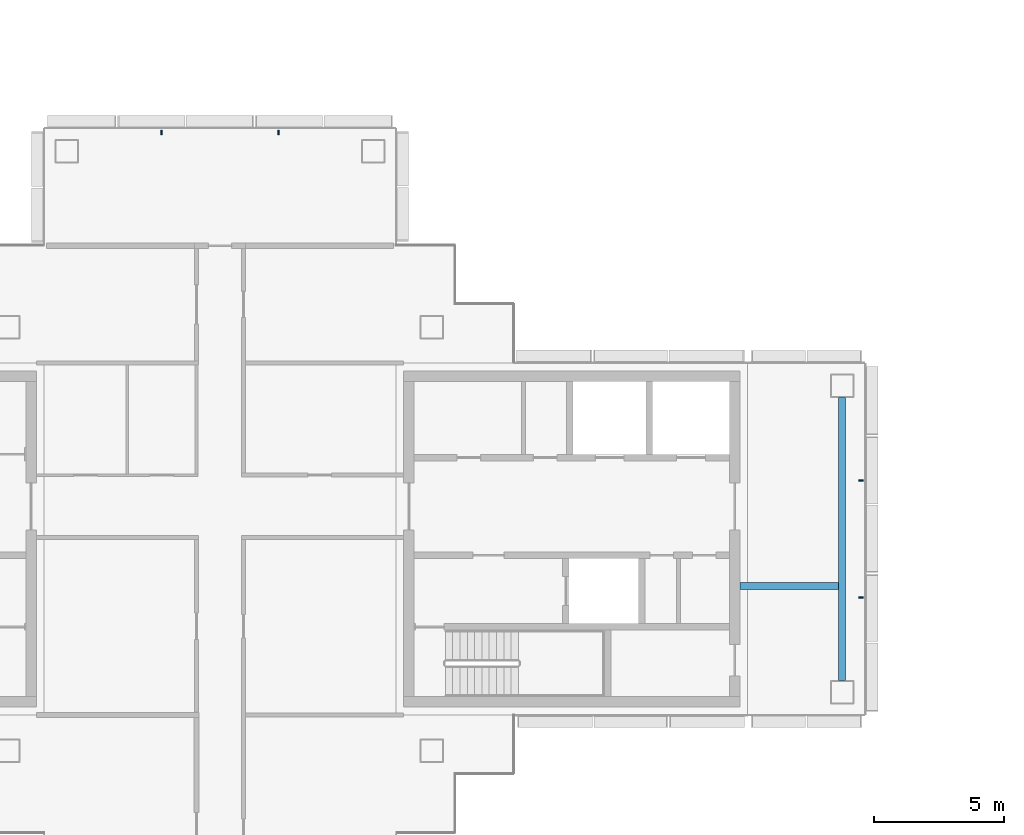
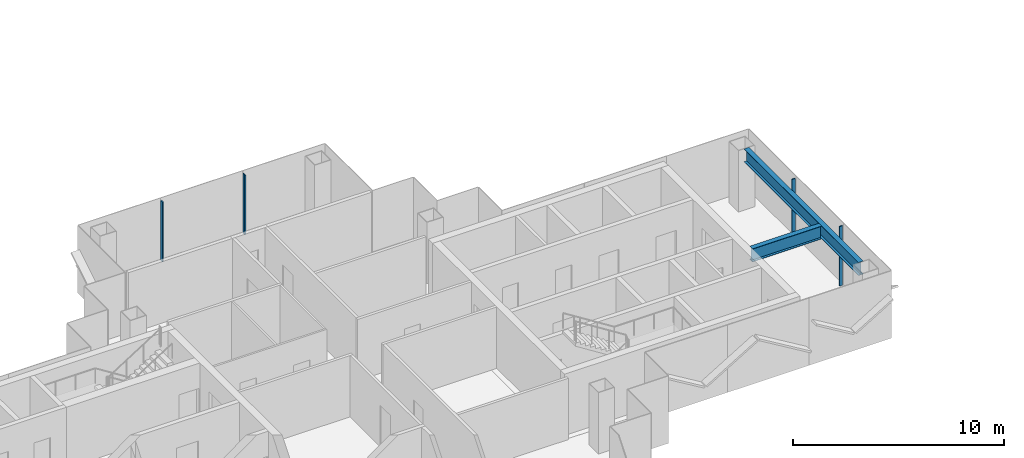
# One storey, part 4 of 17: 4 members, 2 beams, 2 elements without a shape of their own.
"""IFC4 building model written with IfcOpenShell, lengths in metres."""

from ifc_helpers import new_model, si_unit, direction, frame, origin, origin_2d, place, context, subcontext, project, spatial, rectangle, i_section, extrude, material, layer, layer_set, material_profile, profile_set, type_object, element, aggregate, save


model = new_model("IFC4")

# Units and contexts
model_context = context("Model", 3, precision=1e-05, world=origin(), true_north=direction((0.0, 1.0)))
body_context = subcontext(model_context, "Body", "Model", "MODEL_VIEW")
ifc_project = project(units=[si_unit("LENGTHUNIT", "METRE"), si_unit("AREAUNIT", "SQUARE_METRE"), si_unit("VOLUMEUNIT", "CUBIC_METRE"), si_unit("PLANEANGLEUNIT", "RADIAN"), si_unit("MASSUNIT", "GRAM", prefix="KILO")], contexts=[model_context])

# Site, building, storey
site_placement = place(None, origin())
site = spatial("IfcSite", under=ifc_project, at=site_placement, CompositionType="ELEMENT")
building_placement = place(site_placement, origin())
building = spatial("IfcBuilding", under=site, at=building_placement, Name="Shamsa Quay Exchange Towers", CompositionType="ELEMENT")
storey_placement = place(building_placement, frame((0.0, 0.0, 230.39990234375)))
storey = spatial("IfcBuildingStorey", under=building, at=storey_placement, Name="L55", CompositionType="ELEMENT", Elevation=230.39990234375)

# Curtain wall, members
ifc_material_1 = material(Name="Aluminium EN AW-6063 T6, black anodised", Category="aluminium")
ifc_layer = layer(ifc_material_1, 0.280029296875)
ifc_layer_set = layer_set([ifc_layer], Name="CW-1 UNITISED VISION GLASS")
curtain_wall_type = type_object("IfcCurtainWallType", Name="CW-1 UNITISED VISION GLASS", PredefinedType="NOTDEFINED", material=ifc_layer_set)
curtain_wall_1_placement = place(storey_placement, origin())
curtain_wall_1 = element("IfcCurtainWall", 1, at=curtain_wall_1_placement, inside=storey, type_object=curtain_wall_type, Name="CW1 T1-END-U+ L55", PredefinedType="NOTDEFINED")
ifc_material_profile_1 = material_profile(ifc_material_1, rectangle(XDim=0.179931640625, YDim=0.06005859375, at=origin_2d()), Name="MU60x180")
ifc_profile_set_1 = profile_set([ifc_material_profile_1], Name="Aluminium EN AW-6063 T6, black anodised")
member_type = type_object("IfcMemberType", Name="CW1 MULLION 60x180", PredefinedType="MULLION", material=ifc_profile_set_1)
member_1_placement = place(storey_placement, frame((-9.14990234375, -2.25, 0.0), z_axis=(0.0, 0.0, 1.0), x_axis=(-1.0, 0.0, 0.0)))
member_1 = element("IfcMember", 2, at=member_1_placement, type_object=member_type, Name="CW1 mullion", PredefinedType="MULLION", context=body_context, shape_type="SweptSolid", body=[
    extrude(rectangle(XDim=0.179931640625, YDim=0.06005859375, at=origin_2d()), origin(), (0.0, 0.0, 1.0), 3.4501953125),
])
member_2_placement = place(storey_placement, frame((-9.14990234375, 2.25, 0.0), z_axis=(0.0, 0.0, 1.0), x_axis=(-1.0, 0.0, 0.0)))
member_2 = element("IfcMember", 3, at=member_2_placement, type_object=member_type, Name="CW1 mullion", PredefinedType="MULLION", context=body_context, shape_type="SweptSolid", body=[
    extrude(rectangle(XDim=0.179931640625, YDim=0.06005859375, at=origin_2d()), origin(), (0.0, 0.0, 1.0), 3.4501953125),
])
aggregate(curtain_wall_1, [member_1, member_2])

curtain_wall_2_placement = place(storey_placement, origin())
curtain_wall_2 = element("IfcCurtainWall", 4, at=curtain_wall_2_placement, inside=storey, type_object=curtain_wall_type, Name="CW1 T1-END-V+ L55", PredefinedType="NOTDEFINED")
member_3_placement = place(storey_placement, frame((-31.5, 15.60009765625, 0.0), z_axis=(0.0, 0.0, 1.0), x_axis=(0.0, -1.0, 0.0)))
member_3 = element("IfcMember", 5, at=member_3_placement, type_object=member_type, Name="CW1 mullion", PredefinedType="MULLION", context=body_context, shape_type="SweptSolid", body=[
    extrude(rectangle(XDim=0.179931640625, YDim=0.06005859375, at=origin_2d()), origin(), (0.0, 0.0, 1.0), 3.4501953125),
])
member_4_placement = place(storey_placement, frame((-36.0, 15.60009765625, 0.0), z_axis=(0.0, 0.0, 1.0), x_axis=(0.0, -1.0, 0.0)))
member_4 = element("IfcMember", 6, at=member_4_placement, type_object=member_type, Name="CW1 mullion", PredefinedType="MULLION", context=body_context, shape_type="SweptSolid", body=[
    extrude(rectangle(XDim=0.179931640625, YDim=0.06005859375, at=origin_2d()), origin(), (0.0, 0.0, 1.0), 3.4501953125),
])
aggregate(curtain_wall_2, [member_3, member_4])

# Beams
ifc_material_2 = material(Name="Steel S355", Category="steel")
ifc_material_profile_2 = material_profile(ifc_material_2, i_section(OverallWidth=0.26611328125, OverallDepth=0.7578125, WebThickness=0.013916015625, FlangeThickness=0.019287109375, at=origin_2d()), Name="W30x108")
ifc_profile_set_2 = profile_set([ifc_material_profile_2], Name="Steel S355")
beam_type = type_object("IfcBeamType", Name="End-zone beam W30x108", PredefinedType="BEAM", material=ifc_profile_set_2)
beam_1_placement = place(storey_placement, frame((-9.875, -5.425048828125, 3.171142578125), z_axis=(0.0, 1.0, 0.0), x_axis=(-1.0, 0.0, 0.0)))
element("IfcBeam", 7, at=beam_1_placement, inside=storey, type_object=beam_type, Name="End beam T1 U+ end zone L55", PredefinedType="BEAM", context=body_context, shape_type="SweptSolid", body=[
    extrude(i_section(OverallWidth=0.26611328125, OverallDepth=0.7578125, WebThickness=0.013916015625, FlangeThickness=0.019287109375, at=origin_2d()), origin(), (0.0, 0.0, 1.0), 10.85009765625),
])
beam_2_placement = place(storey_placement, frame((-13.800048828125, -1.800048828125, 3.171142578125), z_axis=(1.0, 0.0, 0.0), x_axis=(0.0, 1.0, 0.0)))
element("IfcBeam", 8, at=beam_2_placement, inside=storey, type_object=beam_type, Name="Spine beam T1 U+ end zone L55", PredefinedType="BEAM", context=body_context, shape_type="SweptSolid", body=[
    extrude(i_section(OverallWidth=0.26611328125, OverallDepth=0.7578125, WebThickness=0.013916015625, FlangeThickness=0.019287109375, at=origin_2d()), origin(), (0.0, 0.0, 1.0), 3.7919921875),
])

save(model, "model.ifc")
